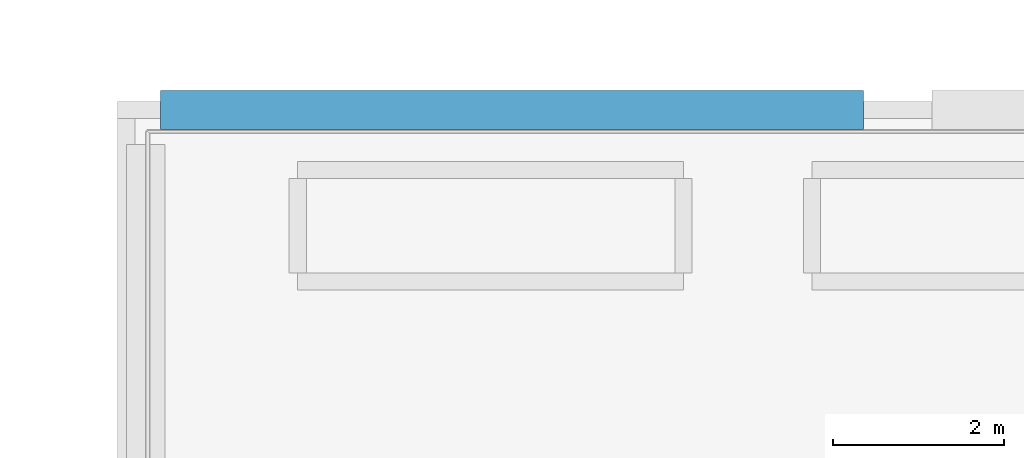
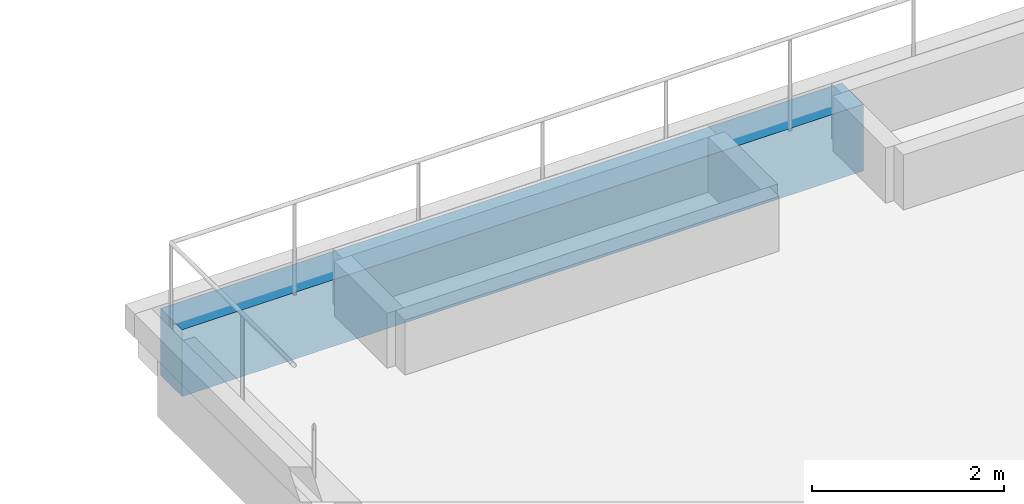
# One storey, part 30 of 106: 1 beam.
"""IFC4 building model written with IfcOpenShell, lengths in metres."""

from ifc_helpers import new_model, si_unit, direction, frame, origin, origin_2d, place, context, subcontext, project, spatial, rectangle, extrude, material, material_profile, profile_set, type_object, element, save


model = new_model("IFC4")

# Units and contexts
model_context = context("Model", 3, precision=1e-05, world=origin(), true_north=direction((0.0, 1.0)))
body_context = subcontext(model_context, "Body", "Model", "MODEL_VIEW")
ifc_project = project(units=[si_unit("LENGTHUNIT", "METRE"), si_unit("AREAUNIT", "SQUARE_METRE"), si_unit("VOLUMEUNIT", "CUBIC_METRE"), si_unit("PLANEANGLEUNIT", "RADIAN"), si_unit("MASSUNIT", "GRAM", prefix="KILO")], contexts=[model_context])

# Site, building, storey
site_placement = place(None, origin())
site = spatial("IfcSite", under=ifc_project, at=site_placement, CompositionType="ELEMENT")
building_placement = place(site_placement, origin())
building = spatial("IfcBuilding", under=site, at=building_placement, Name="Guidao Yard Department Store", CompositionType="ELEMENT")
storey_placement = place(building_placement, frame((0.0, 0.0, 10.5)))
storey = spatial("IfcBuildingStorey", under=building, at=storey_placement, Name="L02", CompositionType="ELEMENT", Elevation=10.5)

# Beam
ifc_material = material(Name="Concrete C40", Category="concrete")
ifc_material_profile = material_profile(ifc_material, rectangle(XDim=0.449951171875, YDim=0.85009765625, at=origin_2d()), Name="Garden roof spandrel beam 450 x 850 C40")
ifc_profile_set = profile_set([ifc_material_profile], Name="Concrete C40")
beam_type = type_object("IfcBeamType", Name="Garden roof spandrel beam 450 x 850 C40", PredefinedType="SPANDREL", material=ifc_profile_set)
beam_placement = place(storey_placement, frame((117.39990234375, 108.0, -0.425048828125), z_axis=(1.0, 0.0, 0.0), x_axis=(0.0, 1.0, 0.0)))
element("IfcBeam", 1, at=beam_placement, inside=storey, type_object=beam_type, Name="Beam EB91", PredefinedType="SPANDREL", context=body_context, shape_type="SweptSolid", body=[
    extrude(rectangle(XDim=0.449951171875, YDim=0.85009765625, at=origin_2d()), origin(), (0.0, 0.0, 1.0), 8.2001953125),
])

save(model, "model.ifc")
